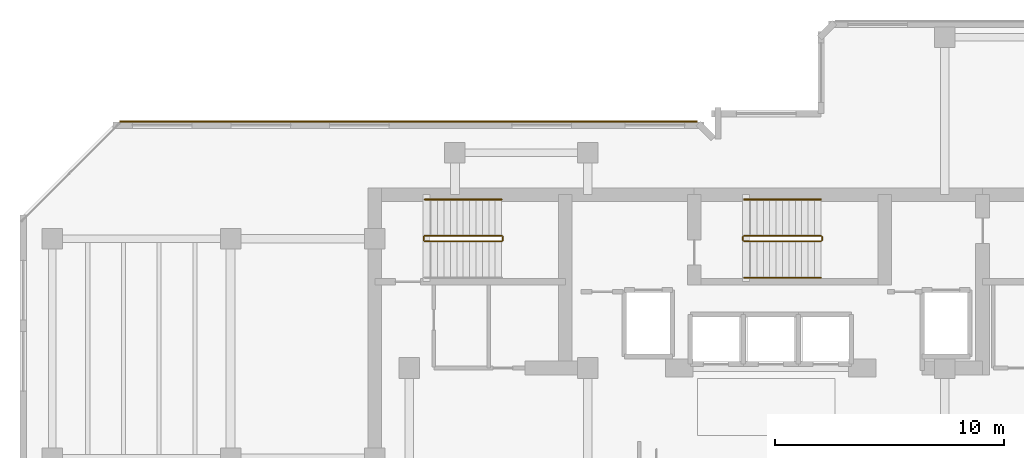
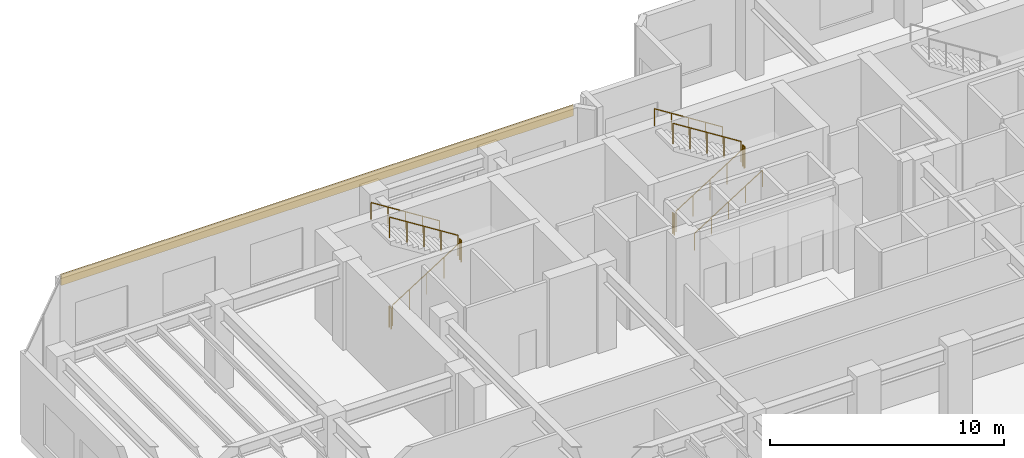
# One storey, part 19 of 20: 11 railings, 1 covering.
"""IFC4 building model written with IfcOpenShell, lengths in metres."""

from ifc_helpers import new_model, si_unit, direction, frame, origin, origin_2d, place, context, subcontext, project, spatial, rectangle, circle, extrude, material, layer, layer_set, type_object, element, save


model = new_model("IFC4")

# Units and contexts
model_context = context("Model", 3, precision=1e-05, world=origin(), true_north=direction((0.0, 1.0)))
body_context = subcontext(model_context, "Body", "Model", "MODEL_VIEW")
ifc_project = project(units=[si_unit("LENGTHUNIT", "METRE"), si_unit("AREAUNIT", "SQUARE_METRE"), si_unit("VOLUMEUNIT", "CUBIC_METRE"), si_unit("PLANEANGLEUNIT", "RADIAN"), si_unit("MASSUNIT", "GRAM", prefix="KILO")], contexts=[model_context])

# Site, building, storey
site_placement = place(None, origin())
site = spatial("IfcSite", under=ifc_project, at=site_placement, CompositionType="ELEMENT")
building_placement = place(site_placement, origin())
building = spatial("IfcBuilding", under=site, at=building_placement, Name="Kestravale Grand Hotel", CompositionType="ELEMENT")
storey_placement = place(building_placement, frame((0.0, 0.0, 231.89990234375)))
storey = spatial("IfcBuildingStorey", under=building, at=storey_placement, Name="L58", CompositionType="ELEMENT", Elevation=231.89990234375)

# Covering
ifc_material_1 = material(Name="Warm limestone-toned fluted architectural precast cladding", Category="masonry")
ifc_layer = layer(ifc_material_1, 0.074951171875)
ifc_layer_set = layer_set([ifc_layer], Name="COV-CLAD-LIM")
covering_type = type_object("IfcCoveringType", Name="COV-CLAD-LIM", PredefinedType="CLADDING", material=ifc_layer_set)
covering_placement = place(storey_placement, frame((23.375, 43.514892578125, 3.77490234375), z_axis=(0.0, 0.0, 1.0), x_axis=(-1.0, 0.0, 0.0)))
element("IfcCovering", 1, at=covering_placement, inside=storey, type_object=covering_type, Name="L58 fluted limestone spandrel cladding 17", PredefinedType="CLADDING", context=body_context, shape_type="SweptSolid", body=[
    extrude(rectangle(XDim=25.22998046875, YDim=0.074951171875, at=origin_2d()), origin(), (0.0, 0.0, 1.0), 0.550048828125),
])

# Railings
ifc_material_2 = material(Name="Painted tubular steel stair well guard", Category="steel")
railing_type_1 = type_object("IfcRailingType", Name="RL-ST-GRD1100", PredefinedType="GUARDRAIL", material=ifc_material_2)
railing_1_placement = place(storey_placement, frame((24.080078125, 38.280029296875, 0.177001953125)))
element("IfcRailing", 2, at=railing_1_placement, inside=storey, type_object=railing_type_1, Name="L58 ST-1 stair guard 1", PredefinedType="GUARDRAIL", context=body_context, shape_type="SweptSolid", body=[
    extrude(circle(Radius=0.02392578125, at=origin_2d()), frame((0.0, 0.0, 1.076171875), z_axis=(0.845372108799, 0.0, 0.534177870812), x_axis=(0.0, 1.0, 0.0)), (0.0, 0.0, 1.0), 3.974365234375),
    extrude(circle(Radius=0.02099609375, at=origin_2d()), origin(), (0.0, 0.0, 1.0), 1.052001953125),
    extrude(circle(Radius=0.02099609375, at=origin_2d()), frame((0.83984375, 0.0, 0.53076171875)), (0.0, 0.0, 1.0), 1.052001953125),
    extrude(circle(Radius=0.02099609375, at=origin_2d()), frame((1.679931640625, 0.0, 1.0615234375)), (0.0, 0.0, 1.0), 1.052001953125),
    extrude(circle(Radius=0.02099609375, at=origin_2d()), frame((2.52001953125, 0.0, 1.59228515625)), (0.0, 0.0, 1.0), 1.052001953125),
    extrude(circle(Radius=0.02099609375, at=origin_2d()), frame((3.35986328125, 0.0, 2.123046875)), (0.0, 0.0, 1.0), 1.052001953125),
])
railing_2_placement = place(storey_placement, frame((27.489990234375, 38.330078125, 2.300048828125)))
element("IfcRailing", 3, at=railing_2_placement, inside=storey, type_object=railing_type_1, Name="L58 ST-1 stair guard 2", PredefinedType="GUARDRAIL", context=body_context, shape_type="SweptSolid", body=[
    extrude(circle(Radius=0.02392578125, at=origin_2d()), frame((0.0, 0.0, 1.076171875), z_axis=(0.0, 1.0, 0.0), x_axis=(-1.0, 0.0, 0.0)), (0.0, 0.0, 1.0), 0.14990234375),
    extrude(circle(Radius=0.02099609375, at=origin_2d()), origin(), (0.0, 0.0, 1.0), 1.052001953125),
    extrude(circle(Radius=0.02099609375, at=origin_2d()), frame((0.0, 0.14990234375, 0.0)), (0.0, 0.0, 1.0), 1.052001953125),
])
railing_3_placement = place(storey_placement, frame((27.43994140625, 38.530029296875, 2.47705078125)))
element("IfcRailing", 4, at=railing_3_placement, inside=storey, type_object=railing_type_1, Name="L58 ST-1 stair guard 3", PredefinedType="GUARDRAIL", context=body_context, shape_type="SweptSolid", body=[
    extrude(circle(Radius=0.02392578125, at=origin_2d()), frame((0.0, 0.0, 1.076171875), z_axis=(-0.845372108799, 0.0, 0.534177870812), x_axis=(0.0, -1.0, 0.0)), (0.0, 0.0, 1.0), 3.974365234375),
    extrude(circle(Radius=0.02099609375, at=origin_2d()), origin(), (0.0, 0.0, 1.0), 1.052001953125),
    extrude(circle(Radius=0.02099609375, at=origin_2d()), frame((-0.83984375, 0.0, 0.53076171875)), (0.0, 0.0, 1.0), 1.052001953125),
    extrude(circle(Radius=0.02099609375, at=origin_2d()), frame((-1.679931640625, 0.0, 1.0615234375)), (0.0, 0.0, 1.0), 1.052001953125),
    extrude(circle(Radius=0.02099609375, at=origin_2d()), frame((-2.52001953125, 0.0, 1.59228515625)), (0.0, 0.0, 1.0), 1.052001953125),
    extrude(circle(Radius=0.02099609375, at=origin_2d()), frame((-3.35986328125, 0.0, 2.123046875)), (0.0, 0.0, 1.0), 1.052001953125),
])
railing_4_placement = place(storey_placement, frame((24.030029296875, 38.330078125, 0.0)))
element("IfcRailing", 5, at=railing_4_placement, inside=storey, type_object=railing_type_1, Name="L58 ST-1 stair guard 4", PredefinedType="GUARDRAIL", context=body_context, shape_type="SweptSolid", body=[
    extrude(circle(Radius=0.02392578125, at=origin_2d()), frame((0.0, 0.0, 1.076171875), z_axis=(0.0, 1.0, 0.0), x_axis=(-1.0, 0.0, 0.0)), (0.0, 0.0, 1.0), 0.14990234375),
    extrude(circle(Radius=0.02099609375, at=origin_2d()), origin(), (0.0, 0.0, 1.0), 1.052001953125),
    extrude(circle(Radius=0.02099609375, at=origin_2d()), frame((0.0, 0.14990234375, 0.0)), (0.0, 0.0, 1.0), 1.052001953125),
])
railing_5_placement = place(storey_placement, frame((38.030029296875, 38.280029296875, 0.177001953125)))
element("IfcRailing", 6, at=railing_5_placement, inside=storey, type_object=railing_type_1, Name="L58 ST-2 stair guard 1", PredefinedType="GUARDRAIL", context=body_context, shape_type="SweptSolid", body=[
    extrude(circle(Radius=0.02392578125, at=origin_2d()), frame((0.0, 0.0, 1.076171875), z_axis=(0.845372108799, 0.0, 0.534177870812), x_axis=(0.0, 1.0, 0.0)), (0.0, 0.0, 1.0), 3.974365234375),
    extrude(circle(Radius=0.02099609375, at=origin_2d()), origin(), (0.0, 0.0, 1.0), 1.052001953125),
    extrude(circle(Radius=0.02099609375, at=origin_2d()), frame((0.83984375, 0.0, 0.53076171875)), (0.0, 0.0, 1.0), 1.052001953125),
    extrude(circle(Radius=0.02099609375, at=origin_2d()), frame((1.679931640625, 0.0, 1.0615234375)), (0.0, 0.0, 1.0), 1.052001953125),
    extrude(circle(Radius=0.02099609375, at=origin_2d()), frame((2.52001953125, 0.0, 1.59228515625)), (0.0, 0.0, 1.0), 1.052001953125),
    extrude(circle(Radius=0.02099609375, at=origin_2d()), frame((3.35986328125, 0.0, 2.123046875)), (0.0, 0.0, 1.0), 1.052001953125),
])
railing_6_placement = place(storey_placement, frame((41.43994140625, 38.330078125, 2.300048828125)))
element("IfcRailing", 7, at=railing_6_placement, inside=storey, type_object=railing_type_1, Name="L58 ST-2 stair guard 2", PredefinedType="GUARDRAIL", context=body_context, shape_type="SweptSolid", body=[
    extrude(circle(Radius=0.02392578125, at=origin_2d()), frame((0.0, 0.0, 1.076171875), z_axis=(0.0, 1.0, 0.0), x_axis=(-1.0, 0.0, 0.0)), (0.0, 0.0, 1.0), 0.14990234375),
    extrude(circle(Radius=0.02099609375, at=origin_2d()), origin(), (0.0, 0.0, 1.0), 1.052001953125),
    extrude(circle(Radius=0.02099609375, at=origin_2d()), frame((0.0, 0.14990234375, 0.0)), (0.0, 0.0, 1.0), 1.052001953125),
])
railing_7_placement = place(storey_placement, frame((41.389892578125, 38.530029296875, 2.47705078125)))
element("IfcRailing", 8, at=railing_7_placement, inside=storey, type_object=railing_type_1, Name="L58 ST-2 stair guard 3", PredefinedType="GUARDRAIL", context=body_context, shape_type="SweptSolid", body=[
    extrude(circle(Radius=0.02392578125, at=origin_2d()), frame((0.0, 0.0, 1.076171875), z_axis=(-0.845372108799, 0.0, 0.534177870812), x_axis=(0.0, -1.0, 0.0)), (0.0, 0.0, 1.0), 3.974365234375),
    extrude(circle(Radius=0.02099609375, at=origin_2d()), origin(), (0.0, 0.0, 1.0), 1.052001953125),
    extrude(circle(Radius=0.02099609375, at=origin_2d()), frame((-0.83984375, 0.0, 0.53076171875)), (0.0, 0.0, 1.0), 1.052001953125),
    extrude(circle(Radius=0.02099609375, at=origin_2d()), frame((-1.679931640625, 0.0, 1.0615234375)), (0.0, 0.0, 1.0), 1.052001953125),
    extrude(circle(Radius=0.02099609375, at=origin_2d()), frame((-2.52001953125, 0.0, 1.59228515625)), (0.0, 0.0, 1.0), 1.052001953125),
    extrude(circle(Radius=0.02099609375, at=origin_2d()), frame((-3.35986328125, 0.0, 2.123046875)), (0.0, 0.0, 1.0), 1.052001953125),
])
railing_8_placement = place(storey_placement, frame((37.97998046875, 38.330078125, 0.0)))
element("IfcRailing", 9, at=railing_8_placement, inside=storey, type_object=railing_type_1, Name="L58 ST-2 stair guard 4", PredefinedType="GUARDRAIL", context=body_context, shape_type="SweptSolid", body=[
    extrude(circle(Radius=0.02392578125, at=origin_2d()), frame((0.0, 0.0, 1.076171875), z_axis=(0.0, 1.0, 0.0), x_axis=(-1.0, 0.0, 0.0)), (0.0, 0.0, 1.0), 0.14990234375),
    extrude(circle(Radius=0.02099609375, at=origin_2d()), origin(), (0.0, 0.0, 1.0), 1.052001953125),
    extrude(circle(Radius=0.02099609375, at=origin_2d()), frame((0.0, 0.14990234375, 0.0)), (0.0, 0.0, 1.0), 1.052001953125),
])
ifc_material_3 = material(Name="Brushed stainless steel wall handrail", Category="steel")
railing_type_2 = type_object("IfcRailingType", Name="RL-ST-HND900", PredefinedType="HANDRAIL", material=ifc_material_3)
railing_9_placement = place(storey_placement, frame((27.43994140625, 40.110107421875, 2.47705078125)))
element("IfcRailing", 10, at=railing_9_placement, inside=storey, type_object=railing_type_2, Name="L58 ST-1 stair handrail 2", PredefinedType="HANDRAIL", context=body_context, shape_type="SweptSolid", body=[
    extrude(circle(Radius=0.02392578125, at=origin_2d()), frame((0.0, 0.0, 0.8759765625), z_axis=(-0.845372108799, 0.0, 0.534177870812), x_axis=(0.0, -1.0, 0.0)), (0.0, 0.0, 1.0), 3.974365234375),
    extrude(circle(Radius=0.02099609375, at=origin_2d()), origin(), (0.0, 0.0, 1.0), 0.851806640625),
    extrude(circle(Radius=0.02099609375, at=origin_2d()), frame((-0.83984375, 0.0, 0.53076171875)), (0.0, 0.0, 1.0), 0.851806640625),
    extrude(circle(Radius=0.02099609375, at=origin_2d()), frame((-1.679931640625, 0.0, 1.0615234375)), (0.0, 0.0, 1.0), 0.851806640625),
    extrude(circle(Radius=0.02099609375, at=origin_2d()), frame((-2.52001953125, 0.0, 1.59228515625)), (0.0, 0.0, 1.0), 0.851806640625),
    extrude(circle(Radius=0.02099609375, at=origin_2d()), frame((-3.35986328125, 0.0, 2.123046875)), (0.0, 0.0, 1.0), 0.851806640625),
])
railing_10_placement = place(storey_placement, frame((38.030029296875, 36.699951171875, 0.177001953125)))
element("IfcRailing", 11, at=railing_10_placement, inside=storey, type_object=railing_type_2, Name="L58 ST-2 stair handrail 1", PredefinedType="HANDRAIL", context=body_context, shape_type="SweptSolid", body=[
    extrude(circle(Radius=0.02392578125, at=origin_2d()), frame((0.0, 0.0, 0.8759765625), z_axis=(0.845372108799, 0.0, 0.534177870812), x_axis=(0.0, 1.0, 0.0)), (0.0, 0.0, 1.0), 3.974365234375),
    extrude(circle(Radius=0.02099609375, at=origin_2d()), origin(), (0.0, 0.0, 1.0), 0.851806640625),
    extrude(circle(Radius=0.02099609375, at=origin_2d()), frame((0.83984375, 0.0, 0.53076171875)), (0.0, 0.0, 1.0), 0.851806640625),
    extrude(circle(Radius=0.02099609375, at=origin_2d()), frame((1.679931640625, 0.0, 1.0615234375)), (0.0, 0.0, 1.0), 0.851806640625),
    extrude(circle(Radius=0.02099609375, at=origin_2d()), frame((2.52001953125, 0.0, 1.59228515625)), (0.0, 0.0, 1.0), 0.851806640625),
    extrude(circle(Radius=0.02099609375, at=origin_2d()), frame((3.35986328125, 0.0, 2.123046875)), (0.0, 0.0, 1.0), 0.851806640625),
])
railing_11_placement = place(storey_placement, frame((41.389892578125, 40.110107421875, 2.47705078125)))
element("IfcRailing", 12, at=railing_11_placement, inside=storey, type_object=railing_type_2, Name="L58 ST-2 stair handrail 2", PredefinedType="HANDRAIL", context=body_context, shape_type="SweptSolid", body=[
    extrude(circle(Radius=0.02392578125, at=origin_2d()), frame((0.0, 0.0, 0.8759765625), z_axis=(-0.845372108799, 0.0, 0.534177870812), x_axis=(0.0, -1.0, 0.0)), (0.0, 0.0, 1.0), 3.974365234375),
    extrude(circle(Radius=0.02099609375, at=origin_2d()), origin(), (0.0, 0.0, 1.0), 0.851806640625),
    extrude(circle(Radius=0.02099609375, at=origin_2d()), frame((-0.83984375, 0.0, 0.53076171875)), (0.0, 0.0, 1.0), 0.851806640625),
    extrude(circle(Radius=0.02099609375, at=origin_2d()), frame((-1.679931640625, 0.0, 1.0615234375)), (0.0, 0.0, 1.0), 0.851806640625),
    extrude(circle(Radius=0.02099609375, at=origin_2d()), frame((-2.52001953125, 0.0, 1.59228515625)), (0.0, 0.0, 1.0), 0.851806640625),
    extrude(circle(Radius=0.02099609375, at=origin_2d()), frame((-3.35986328125, 0.0, 2.123046875)), (0.0, 0.0, 1.0), 0.851806640625),
])

save(model, "model.ifc")
